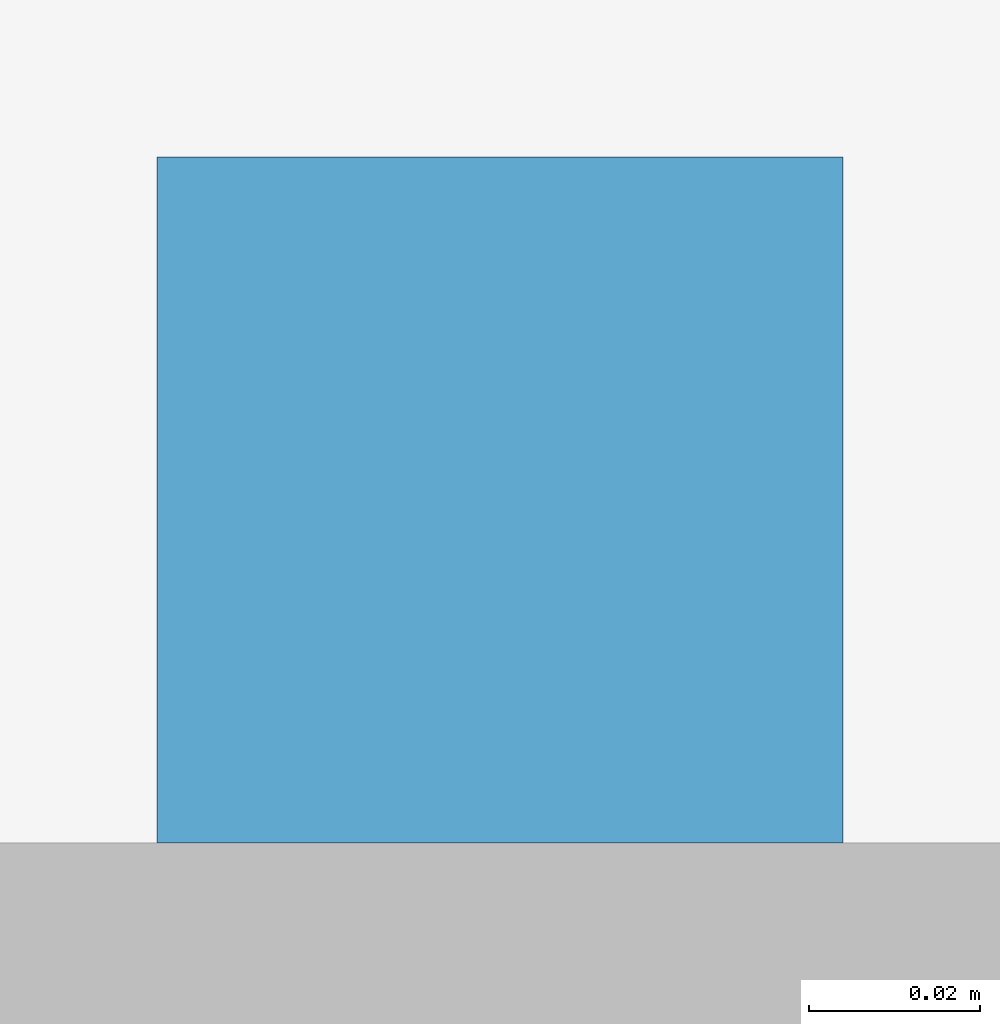
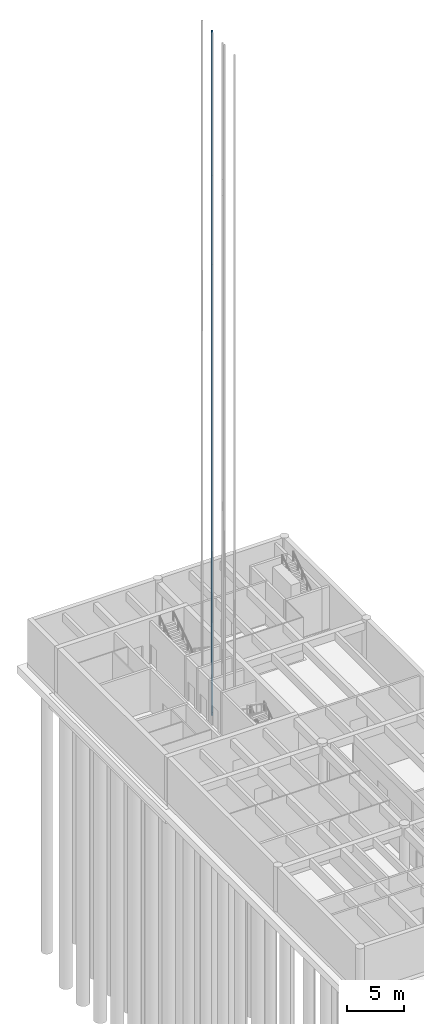
# One storey, part 19 of 24: 1 building element part.
"""IFC4 building model written with IfcOpenShell, lengths in metres."""

from ifc_helpers import new_model, si_unit, direction, frame, origin, origin_2d, place, context, subcontext, project, spatial, rectangle, extrude, element, save


model = new_model("IFC4")

# Units and contexts
model_context = context("Model", 3, precision=1e-05, world=origin(), true_north=direction((0.0, 1.0)))
body_context = subcontext(model_context, "Body", "Model", "MODEL_VIEW")
ifc_project = project(units=[si_unit("LENGTHUNIT", "METRE"), si_unit("AREAUNIT", "SQUARE_METRE"), si_unit("VOLUMEUNIT", "CUBIC_METRE"), si_unit("PLANEANGLEUNIT", "RADIAN"), si_unit("MASSUNIT", "GRAM", prefix="KILO")], contexts=[model_context])

# Site, building, storey
site_placement = place(None, origin())
site = spatial("IfcSite", under=ifc_project, at=site_placement, CompositionType="ELEMENT")
building_placement = place(site_placement, origin())
building = spatial("IfcBuilding", under=site, at=building_placement, Name="Fogon Plaza Fire Station and Headquarters Tower", CompositionType="ELEMENT")
storey_placement = place(building_placement, frame((0.0, 0.0, -4.800048828125)))
storey = spatial("IfcBuildingStorey", under=building, at=storey_placement, Name="B1", CompositionType="ELEMENT", Elevation=-4.800048828125)

# Building element part
building_element_part_placement = place(storey_placement, frame((74.675048828125, 44.4150390625, -1.19970703125), z_axis=(0.0, 0.0, 1.0), x_axis=(1.0, 0.0, 0.0)))
element("IfcBuildingElementPart", 1, at=building_element_part_placement, inside=storey, Name="Guide rail FL2 1", ObjectType="Guide rail", PredefinedType="USERDEFINED", context=body_context, shape_type="SweptSolid", body=[
    extrude(rectangle(XDim=0.080078125, YDim=0.080078125, at=origin_2d()), origin(), (0.0, 0.0, 1.0), 73.199951171875),
])

save(model, "model.ifc")
